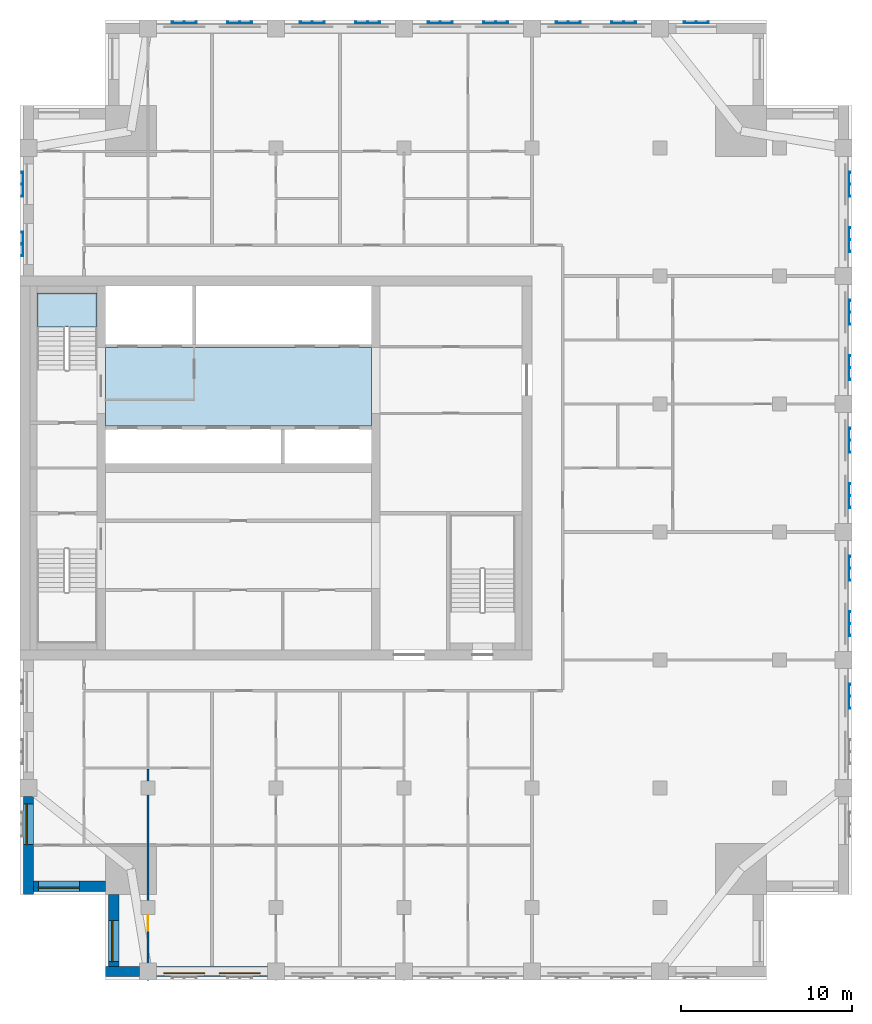
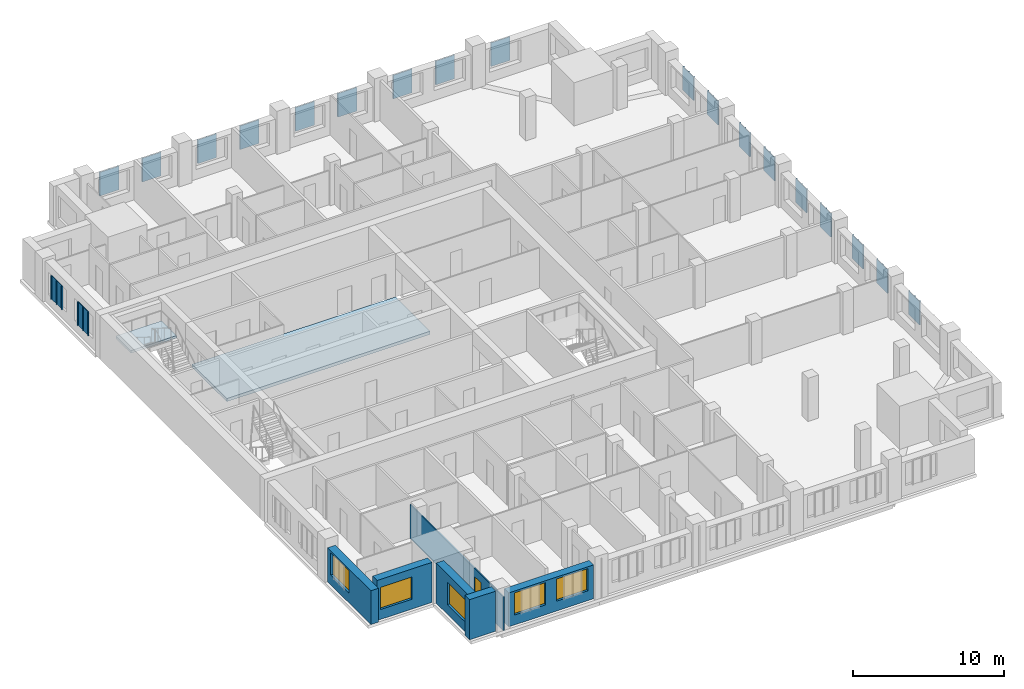
# One storey, part 2 of 10: 20 plates, 6 walls, 5 windows, 2 slabs, 1 door, 6 openings, 1 element without a shape of its own.
"""IFC4 building model written with IfcOpenShell, lengths in metres."""

from ifc_helpers import new_model, si_unit, direction, frame, frame_2d, origin, place, context, subcontext, project, spatial, polyline, rectangle, outline, extrude, material, layer, layer_set, type_object, element, fill, aggregate, save


model = new_model("IFC4")

# Units and contexts
model_context = context("Model", 3, precision=1e-05, world=origin(), true_north=direction((0.0, 1.0)))
body_context = subcontext(model_context, "Body", "Model", "MODEL_VIEW")
ifc_project = project(units=[si_unit("LENGTHUNIT", "METRE"), si_unit("AREAUNIT", "SQUARE_METRE"), si_unit("VOLUMEUNIT", "CUBIC_METRE"), si_unit("PLANEANGLEUNIT", "RADIAN"), si_unit("MASSUNIT", "GRAM", prefix="KILO")], contexts=[model_context])

# Site, building, storey
site_placement = place(None, origin())
site = spatial("IfcSite", under=ifc_project, at=site_placement, CompositionType="ELEMENT")
building_placement = place(site_placement, origin())
building = spatial("IfcBuilding", under=site, at=building_placement, Name="Tamorin Gate", CompositionType="ELEMENT")
storey_placement = place(building_placement, frame((0.0, 0.0, 251.199951171875)))
storey = spatial("IfcBuildingStorey", under=building, at=storey_placement, Name="L63", CompositionType="ELEMENT", Elevation=251.199951171875)

# Slab
ifc_material_1 = material(Name="Concrete C40/50", Category="concrete")
ifc_layer_1 = layer(ifc_material_1, 0.25)
ifc_layer_set_1 = layer_set([ifc_layer_1], Name="Core floor slab 250 C40/50")
slab_type_1 = type_object("IfcSlabType", Name="Core floor slab 250 C40/50", PredefinedType="FLOOR", material=ifc_layer_set_1)
slab_1_placement = place(storey_placement, frame((0.0, 0.0, -0.25)))
element("IfcSlab", 1, at=slab_1_placement, inside=storey, type_object=slab_type_1, Name="Core floor L63", PredefinedType="FLOOR", context=body_context, shape_type="SweptSolid", body=[
    extrude(outline(polyline([(50.60009765625, 73.699951171875), (35.0, 73.699951171875), (35.0, 78.300048828125), (50.60009765625, 78.300048828125), (50.60009765625, 73.699951171875)])), origin(), (0.0, 0.0, 1.0), 0.25),
])

# Stair, slab
stair_type = type_object("IfcStairType", Name="Exit stair", PredefinedType="HALF_TURN_STAIR", material=ifc_material_1)
stair_placement = place(storey_placement, origin())
stair = element("IfcStair", 2, at=stair_placement, inside=storey, type_object=stair_type, Name="L63 stair ST2", PredefinedType="HALF_TURN_STAIR")
ifc_layer_2 = layer(ifc_material_1, 0.199951171875)
ifc_layer_set_2 = layer_set([ifc_layer_2], Name="Exit stair landing 200")
slab_type_2 = type_object("IfcSlabType", Name="Exit stair landing 200", PredefinedType="LANDING", material=ifc_layer_set_2)
slab_2_placement = place(storey_placement, frame((0.0, 0.0, 1.550048828125)))
slab_2 = element("IfcSlab", 3, at=slab_2_placement, type_object=slab_type_2, Name="ST2 landing 1", PredefinedType="LANDING", context=body_context, shape_type="SweptSolid", body=[
    extrude(outline(polyline([(34.5, 79.52001953125), (34.5, 81.5), (31.0, 81.5), (31.0, 79.52001953125), (34.5, 79.52001953125)])), origin(), (0.0, 0.0, 1.0), 0.199951171875),
])
aggregate(stair, [slab_2])

# Plates
ifc_material_2 = material(Name="Perforated pale aluminium sheet", Category="aluminium")
ifc_layer_3 = layer(ifc_material_2, 0.0400390625)
ifc_layer_set_3 = layer_set([ifc_layer_3], Name="Pale metal solar screen 1440")
plate_type = type_object("IfcPlateType", Name="Pale metal solar screen 1440", PredefinedType="SHEET", material=ifc_layer_set_3)
plate_1_placement = place(storey_placement, frame((0.0, 0.0, 0.737548828125)))
element("IfcPlate", 4, at=plate_1_placement, inside=storey, type_object=plate_type, Name="Perforated solar screen", PredefinedType="SHEET", context=body_context, shape_type="SweptSolid", body=[
    extrude(outline(polyline([(78.590087890625, 57.155029296875), (78.550048828125, 57.155029296875), (78.550048828125, 57.215087890625), (78.550048828125, 57.844970703125), (78.550048828125, 57.905029296875), (78.550048828125, 58.534912109375), (78.550048828125, 58.594970703125), (78.590087890625, 58.594970703125), (78.64990234375, 58.594970703125), (78.64990234375, 58.534912109375), (78.590087890625, 58.534912109375), (78.590087890625, 57.905029296875), (78.64990234375, 57.905029296875), (78.64990234375, 57.844970703125), (78.590087890625, 57.844970703125), (78.590087890625, 57.215087890625), (78.64990234375, 57.215087890625), (78.64990234375, 57.155029296875), (78.590087890625, 57.155029296875)])), origin(), (0.0, 0.0, 1.0), 1.925048828125),
])
plate_2_placement = place(storey_placement, frame((0.0, 0.0, 0.737548828125)))
element("IfcPlate", 5, at=plate_2_placement, inside=storey, type_object=plate_type, Name="Perforated solar screen", PredefinedType="SHEET", context=body_context, shape_type="SweptSolid", body=[
    extrude(outline(polyline([(78.590087890625, 61.405029296875), (78.550048828125, 61.405029296875), (78.550048828125, 61.465087890625), (78.550048828125, 62.094970703125), (78.550048828125, 62.155029296875), (78.550048828125, 62.784912109375), (78.550048828125, 62.844970703125), (78.590087890625, 62.844970703125), (78.64990234375, 62.844970703125), (78.64990234375, 62.784912109375), (78.590087890625, 62.784912109375), (78.590087890625, 62.155029296875), (78.64990234375, 62.155029296875), (78.64990234375, 62.094970703125), (78.590087890625, 62.094970703125), (78.590087890625, 61.465087890625), (78.64990234375, 61.465087890625), (78.64990234375, 61.405029296875), (78.590087890625, 61.405029296875)])), origin(), (0.0, 0.0, 1.0), 1.925048828125),
])
plate_3_placement = place(storey_placement, frame((0.0, 0.0, 0.737548828125)))
element("IfcPlate", 6, at=plate_3_placement, inside=storey, type_object=plate_type, Name="Perforated solar screen", PredefinedType="SHEET", context=body_context, shape_type="SweptSolid", body=[
    extrude(outline(polyline([(78.590087890625, 64.655029296875), (78.550048828125, 64.655029296875), (78.550048828125, 64.715087890625), (78.550048828125, 65.344970703125), (78.550048828125, 65.405029296875), (78.550048828125, 66.034912109375), (78.550048828125, 66.094970703125), (78.590087890625, 66.094970703125), (78.64990234375, 66.094970703125), (78.64990234375, 66.034912109375), (78.590087890625, 66.034912109375), (78.590087890625, 65.405029296875), (78.64990234375, 65.405029296875), (78.64990234375, 65.344970703125), (78.590087890625, 65.344970703125), (78.590087890625, 64.715087890625), (78.64990234375, 64.715087890625), (78.64990234375, 64.655029296875), (78.590087890625, 64.655029296875)])), origin(), (0.0, 0.0, 1.0), 1.925048828125),
])
plate_4_placement = place(storey_placement, frame((0.0, 0.0, 0.737548828125)))
element("IfcPlate", 7, at=plate_4_placement, inside=storey, type_object=plate_type, Name="Perforated solar screen", PredefinedType="SHEET", context=body_context, shape_type="SweptSolid", body=[
    extrude(outline(polyline([(78.590087890625, 68.905029296875), (78.550048828125, 68.905029296875), (78.550048828125, 68.965087890625), (78.550048828125, 69.594970703125), (78.550048828125, 69.655029296875), (78.550048828125, 70.284912109375), (78.550048828125, 70.344970703125), (78.590087890625, 70.344970703125), (78.64990234375, 70.344970703125), (78.64990234375, 70.284912109375), (78.590087890625, 70.284912109375), (78.590087890625, 69.655029296875), (78.64990234375, 69.655029296875), (78.64990234375, 69.594970703125), (78.590087890625, 69.594970703125), (78.590087890625, 68.965087890625), (78.64990234375, 68.965087890625), (78.64990234375, 68.905029296875), (78.590087890625, 68.905029296875)])), origin(), (0.0, 0.0, 1.0), 1.925048828125),
])
plate_5_placement = place(storey_placement, frame((0.0, 0.0, 0.737548828125)))
element("IfcPlate", 8, at=plate_5_placement, inside=storey, type_object=plate_type, Name="Perforated solar screen", PredefinedType="SHEET", context=body_context, shape_type="SweptSolid", body=[
    extrude(outline(polyline([(78.590087890625, 72.155029296875), (78.550048828125, 72.155029296875), (78.550048828125, 72.215087890625), (78.550048828125, 72.844970703125), (78.550048828125, 72.905029296875), (78.550048828125, 73.534912109375), (78.550048828125, 73.594970703125), (78.590087890625, 73.594970703125), (78.64990234375, 73.594970703125), (78.64990234375, 73.534912109375), (78.590087890625, 73.534912109375), (78.590087890625, 72.905029296875), (78.64990234375, 72.905029296875), (78.64990234375, 72.844970703125), (78.590087890625, 72.844970703125), (78.590087890625, 72.215087890625), (78.64990234375, 72.215087890625), (78.64990234375, 72.155029296875), (78.590087890625, 72.155029296875)])), origin(), (0.0, 0.0, 1.0), 1.925048828125),
])
plate_6_placement = place(storey_placement, frame((0.0, 0.0, 0.737548828125)))
element("IfcPlate", 9, at=plate_6_placement, inside=storey, type_object=plate_type, Name="Perforated solar screen", PredefinedType="SHEET", context=body_context, shape_type="SweptSolid", body=[
    extrude(outline(polyline([(78.590087890625, 76.405029296875), (78.550048828125, 76.405029296875), (78.550048828125, 76.465087890625), (78.550048828125, 77.094970703125), (78.550048828125, 77.155029296875), (78.550048828125, 77.784912109375), (78.550048828125, 77.844970703125), (78.590087890625, 77.844970703125), (78.64990234375, 77.844970703125), (78.64990234375, 77.784912109375), (78.590087890625, 77.784912109375), (78.590087890625, 77.155029296875), (78.64990234375, 77.155029296875), (78.64990234375, 77.094970703125), (78.590087890625, 77.094970703125), (78.590087890625, 76.465087890625), (78.64990234375, 76.465087890625), (78.64990234375, 76.405029296875), (78.590087890625, 76.405029296875)])), origin(), (0.0, 0.0, 1.0), 1.925048828125),
])
plate_7_placement = place(storey_placement, frame((0.0, 0.0, 0.737548828125)))
element("IfcPlate", 10, at=plate_7_placement, inside=storey, type_object=plate_type, Name="Perforated solar screen", PredefinedType="SHEET", context=body_context, shape_type="SweptSolid", body=[
    extrude(outline(polyline([(78.590087890625, 79.655029296875), (78.550048828125, 79.655029296875), (78.550048828125, 79.715087890625), (78.550048828125, 80.344970703125), (78.550048828125, 80.405029296875), (78.550048828125, 81.034912109375), (78.550048828125, 81.094970703125), (78.590087890625, 81.094970703125), (78.64990234375, 81.094970703125), (78.64990234375, 81.034912109375), (78.590087890625, 81.034912109375), (78.590087890625, 80.405029296875), (78.64990234375, 80.405029296875), (78.64990234375, 80.344970703125), (78.590087890625, 80.344970703125), (78.590087890625, 79.715087890625), (78.64990234375, 79.715087890625), (78.64990234375, 79.655029296875), (78.590087890625, 79.655029296875)])), origin(), (0.0, 0.0, 1.0), 1.925048828125),
])
plate_8_placement = place(storey_placement, frame((0.0, 0.0, 0.737548828125)))
element("IfcPlate", 11, at=plate_8_placement, inside=storey, type_object=plate_type, Name="Perforated solar screen", PredefinedType="SHEET", context=body_context, shape_type="SweptSolid", body=[
    extrude(outline(polyline([(78.590087890625, 83.905029296875), (78.550048828125, 83.905029296875), (78.550048828125, 83.965087890625), (78.550048828125, 84.594970703125), (78.550048828125, 84.655029296875), (78.550048828125, 85.284912109375), (78.550048828125, 85.344970703125), (78.590087890625, 85.344970703125), (78.64990234375, 85.344970703125), (78.64990234375, 85.284912109375), (78.590087890625, 85.284912109375), (78.590087890625, 84.655029296875), (78.64990234375, 84.655029296875), (78.64990234375, 84.594970703125), (78.590087890625, 84.594970703125), (78.590087890625, 83.965087890625), (78.64990234375, 83.965087890625), (78.64990234375, 83.905029296875), (78.590087890625, 83.905029296875)])), origin(), (0.0, 0.0, 1.0), 1.925048828125),
])
plate_9_placement = place(storey_placement, frame((0.0, 0.0, 0.737548828125)))
element("IfcPlate", 12, at=plate_9_placement, inside=storey, type_object=plate_type, Name="Perforated solar screen", PredefinedType="SHEET", context=body_context, shape_type="SweptSolid", body=[
    extrude(outline(polyline([(78.590087890625, 87.155029296875), (78.550048828125, 87.155029296875), (78.550048828125, 87.215087890625), (78.550048828125, 87.844970703125), (78.550048828125, 87.905029296875), (78.550048828125, 88.534912109375), (78.550048828125, 88.594970703125), (78.590087890625, 88.594970703125), (78.64990234375, 88.594970703125), (78.64990234375, 88.534912109375), (78.590087890625, 88.534912109375), (78.590087890625, 87.905029296875), (78.64990234375, 87.905029296875), (78.64990234375, 87.844970703125), (78.590087890625, 87.844970703125), (78.590087890625, 87.215087890625), (78.64990234375, 87.215087890625), (78.64990234375, 87.155029296875), (78.590087890625, 87.155029296875)])), origin(), (0.0, 0.0, 1.0), 1.925048828125),
])
plate_10_placement = place(storey_placement, frame((0.0, 0.0, 0.737548828125)))
element("IfcPlate", 13, at=plate_10_placement, inside=storey, type_object=plate_type, Name="Perforated solar screen", PredefinedType="SHEET", context=body_context, shape_type="SweptSolid", body=[
    extrude(outline(polyline([(70.344970703125, 97.340087890625), (70.344970703125, 97.300048828125), (70.284912109375, 97.300048828125), (69.655029296875, 97.300048828125), (69.594970703125, 97.300048828125), (68.965087890625, 97.300048828125), (68.905029296875, 97.300048828125), (68.905029296875, 97.300048828125), (68.905029296875, 97.340087890625), (68.905029296875, 97.340087890625), (68.905029296875, 97.39990234375), (68.965087890625, 97.39990234375), (68.965087890625, 97.340087890625), (69.594970703125, 97.340087890625), (69.594970703125, 97.39990234375), (69.655029296875, 97.39990234375), (69.655029296875, 97.340087890625), (70.284912109375, 97.340087890625), (70.284912109375, 97.39990234375), (70.344970703125, 97.39990234375), (70.344970703125, 97.340087890625)])), origin(), (0.0, 0.0, 1.0), 1.925048828125),
])
plate_11_placement = place(storey_placement, frame((0.0, 0.0, 0.737548828125)))
element("IfcPlate", 14, at=plate_11_placement, inside=storey, type_object=plate_type, Name="Perforated solar screen", PredefinedType="SHEET", context=body_context, shape_type="SweptSolid", body=[
    extrude(outline(polyline([(62.844970703125, 97.340087890625), (62.844970703125, 97.300048828125), (62.784912109375, 97.300048828125), (62.155029296875, 97.300048828125), (62.094970703125, 97.300048828125), (61.465087890625, 97.300048828125), (61.405029296875, 97.300048828125), (61.405029296875, 97.340087890625), (61.405029296875, 97.39990234375), (61.465087890625, 97.39990234375), (61.465087890625, 97.340087890625), (62.094970703125, 97.340087890625), (62.094970703125, 97.39990234375), (62.155029296875, 97.39990234375), (62.155029296875, 97.340087890625), (62.784912109375, 97.340087890625), (62.784912109375, 97.39990234375), (62.844970703125, 97.39990234375), (62.844970703125, 97.340087890625)])), origin(), (0.0, 0.0, 1.0), 1.925048828125),
])
plate_12_placement = place(storey_placement, frame((0.0, 0.0, 0.737548828125)))
element("IfcPlate", 15, at=plate_12_placement, inside=storey, type_object=plate_type, Name="Perforated solar screen", PredefinedType="SHEET", context=body_context, shape_type="SweptSolid", body=[
    extrude(outline(polyline([(66.094970703125, 97.340087890625), (66.094970703125, 97.300048828125), (66.034912109375, 97.300048828125), (65.405029296875, 97.300048828125), (65.344970703125, 97.300048828125), (64.715087890625, 97.300048828125), (64.655029296875, 97.300048828125), (64.655029296875, 97.340087890625), (64.655029296875, 97.39990234375), (64.715087890625, 97.39990234375), (64.715087890625, 97.340087890625), (65.344970703125, 97.340087890625), (65.344970703125, 97.39990234375), (65.405029296875, 97.39990234375), (65.405029296875, 97.340087890625), (66.034912109375, 97.340087890625), (66.034912109375, 97.39990234375), (66.094970703125, 97.39990234375), (66.094970703125, 97.340087890625)])), origin(), (0.0, 0.0, 1.0), 1.925048828125),
])
plate_13_placement = place(storey_placement, frame((0.0, 0.0, 0.737548828125)))
element("IfcPlate", 16, at=plate_13_placement, inside=storey, type_object=plate_type, Name="Perforated solar screen", PredefinedType="SHEET", context=body_context, shape_type="SweptSolid", body=[
    extrude(outline(polyline([(55.344970703125, 97.340087890625), (55.344970703125, 97.300048828125), (55.284912109375, 97.300048828125), (54.655029296875, 97.300048828125), (54.594970703125, 97.300048828125), (53.965087890625, 97.300048828125), (53.905029296875, 97.300048828125), (53.905029296875, 97.340087890625), (53.905029296875, 97.39990234375), (53.965087890625, 97.39990234375), (53.965087890625, 97.340087890625), (54.594970703125, 97.340087890625), (54.594970703125, 97.39990234375), (54.655029296875, 97.39990234375), (54.655029296875, 97.340087890625), (55.284912109375, 97.340087890625), (55.284912109375, 97.39990234375), (55.344970703125, 97.39990234375), (55.344970703125, 97.340087890625)])), origin(), (0.0, 0.0, 1.0), 1.925048828125),
])
plate_14_placement = place(storey_placement, frame((0.0, 0.0, 0.737548828125)))
element("IfcPlate", 17, at=plate_14_placement, inside=storey, type_object=plate_type, Name="Perforated solar screen", PredefinedType="SHEET", context=body_context, shape_type="SweptSolid", body=[
    extrude(outline(polyline([(58.594970703125, 97.340087890625), (58.594970703125, 97.300048828125), (58.534912109375, 97.300048828125), (57.905029296875, 97.300048828125), (57.844970703125, 97.300048828125), (57.215087890625, 97.300048828125), (57.155029296875, 97.300048828125), (57.155029296875, 97.340087890625), (57.155029296875, 97.39990234375), (57.215087890625, 97.39990234375), (57.215087890625, 97.340087890625), (57.844970703125, 97.340087890625), (57.844970703125, 97.39990234375), (57.905029296875, 97.39990234375), (57.905029296875, 97.340087890625), (58.534912109375, 97.340087890625), (58.534912109375, 97.39990234375), (58.594970703125, 97.39990234375), (58.594970703125, 97.340087890625)])), origin(), (0.0, 0.0, 1.0), 1.925048828125),
])
plate_15_placement = place(storey_placement, frame((0.0, 0.0, 0.737548828125)))
element("IfcPlate", 18, at=plate_15_placement, inside=storey, type_object=plate_type, Name="Perforated solar screen", PredefinedType="SHEET", context=body_context, shape_type="SweptSolid", body=[
    extrude(outline(polyline([(47.844970703125, 97.340087890625), (47.844970703125, 97.300048828125), (47.784912109375, 97.300048828125), (47.155029296875, 97.300048828125), (47.094970703125, 97.300048828125), (46.465087890625, 97.300048828125), (46.405029296875, 97.300048828125), (46.405029296875, 97.340087890625), (46.405029296875, 97.39990234375), (46.465087890625, 97.39990234375), (46.465087890625, 97.340087890625), (47.094970703125, 97.340087890625), (47.094970703125, 97.39990234375), (47.155029296875, 97.39990234375), (47.155029296875, 97.340087890625), (47.784912109375, 97.340087890625), (47.784912109375, 97.39990234375), (47.844970703125, 97.39990234375), (47.844970703125, 97.340087890625)])), origin(), (0.0, 0.0, 1.0), 1.925048828125),
])
plate_16_placement = place(storey_placement, frame((0.0, 0.0, 0.737548828125)))
element("IfcPlate", 19, at=plate_16_placement, inside=storey, type_object=plate_type, Name="Perforated solar screen", PredefinedType="SHEET", context=body_context, shape_type="SweptSolid", body=[
    extrude(outline(polyline([(51.094970703125, 97.340087890625), (51.094970703125, 97.300048828125), (51.034912109375, 97.300048828125), (50.405029296875, 97.300048828125), (50.344970703125, 97.300048828125), (49.715087890625, 97.300048828125), (49.655029296875, 97.300048828125), (49.655029296875, 97.340087890625), (49.655029296875, 97.39990234375), (49.715087890625, 97.39990234375), (49.715087890625, 97.340087890625), (50.344970703125, 97.340087890625), (50.344970703125, 97.39990234375), (50.405029296875, 97.39990234375), (50.405029296875, 97.340087890625), (51.034912109375, 97.340087890625), (51.034912109375, 97.39990234375), (51.094970703125, 97.39990234375), (51.094970703125, 97.340087890625)])), origin(), (0.0, 0.0, 1.0), 1.925048828125),
])
plate_17_placement = place(storey_placement, frame((0.0, 0.0, 0.737548828125)))
element("IfcPlate", 20, at=plate_17_placement, inside=storey, type_object=plate_type, Name="Perforated solar screen", PredefinedType="SHEET", context=body_context, shape_type="SweptSolid", body=[
    extrude(outline(polyline([(40.344970703125, 97.340087890625), (40.344970703125, 97.300048828125), (40.284912109375, 97.300048828125), (39.655029296875, 97.300048828125), (39.594970703125, 97.300048828125), (38.965087890625, 97.300048828125), (38.905029296875, 97.300048828125), (38.905029296875, 97.340087890625), (38.905029296875, 97.39990234375), (38.965087890625, 97.39990234375), (38.965087890625, 97.340087890625), (39.594970703125, 97.340087890625), (39.594970703125, 97.39990234375), (39.655029296875, 97.39990234375), (39.655029296875, 97.340087890625), (40.284912109375, 97.340087890625), (40.284912109375, 97.39990234375), (40.344970703125, 97.39990234375), (40.344970703125, 97.340087890625)])), origin(), (0.0, 0.0, 1.0), 1.925048828125),
])
plate_18_placement = place(storey_placement, frame((0.0, 0.0, 0.737548828125)))
element("IfcPlate", 21, at=plate_18_placement, inside=storey, type_object=plate_type, Name="Perforated solar screen", PredefinedType="SHEET", context=body_context, shape_type="SweptSolid", body=[
    extrude(outline(polyline([(43.594970703125, 97.340087890625), (43.594970703125, 97.300048828125), (43.534912109375, 97.300048828125), (42.905029296875, 97.300048828125), (42.844970703125, 97.300048828125), (42.215087890625, 97.300048828125), (42.155029296875, 97.300048828125), (42.155029296875, 97.340087890625), (42.155029296875, 97.39990234375), (42.215087890625, 97.39990234375), (42.215087890625, 97.340087890625), (42.844970703125, 97.340087890625), (42.844970703125, 97.39990234375), (42.905029296875, 97.39990234375), (42.905029296875, 97.340087890625), (43.534912109375, 97.340087890625), (43.534912109375, 97.39990234375), (43.594970703125, 97.39990234375), (43.594970703125, 97.340087890625)])), origin(), (0.0, 0.0, 1.0), 1.925048828125),
])
plate_19_placement = place(storey_placement, frame((0.0, 0.0, 0.737548828125)))
element("IfcPlate", 22, at=plate_19_placement, inside=storey, type_object=plate_type, Name="Perforated solar screen", PredefinedType="SHEET", context=body_context, shape_type="SweptSolid", body=[
    extrude(outline(polyline([(30.159912109375, 85.094970703125), (30.199951171875, 85.094970703125), (30.199951171875, 85.034912109375), (30.199951171875, 84.405029296875), (30.199951171875, 84.344970703125), (30.199951171875, 83.715087890625), (30.199951171875, 83.655029296875), (30.159912109375, 83.655029296875), (30.10009765625, 83.655029296875), (30.10009765625, 83.715087890625), (30.159912109375, 83.715087890625), (30.159912109375, 84.344970703125), (30.10009765625, 84.344970703125), (30.10009765625, 84.405029296875), (30.159912109375, 84.405029296875), (30.159912109375, 85.034912109375), (30.10009765625, 85.034912109375), (30.10009765625, 85.094970703125), (30.159912109375, 85.094970703125)])), origin(), (0.0, 0.0, 1.0), 1.925048828125),
])
plate_20_placement = place(storey_placement, frame((0.0, 0.0, 0.737548828125)))
element("IfcPlate", 23, at=plate_20_placement, inside=storey, type_object=plate_type, Name="Perforated solar screen", PredefinedType="SHEET", context=body_context, shape_type="SweptSolid", body=[
    extrude(outline(polyline([(30.159912109375, 88.594970703125), (30.199951171875, 88.594970703125), (30.199951171875, 88.534912109375), (30.199951171875, 87.905029296875), (30.199951171875, 87.844970703125), (30.199951171875, 87.215087890625), (30.199951171875, 87.155029296875), (30.199951171875, 87.155029296875), (30.159912109375, 87.155029296875), (30.159912109375, 87.155029296875), (30.10009765625, 87.155029296875), (30.10009765625, 87.215087890625), (30.159912109375, 87.215087890625), (30.159912109375, 87.844970703125), (30.10009765625, 87.844970703125), (30.10009765625, 87.905029296875), (30.159912109375, 87.905029296875), (30.159912109375, 88.534912109375), (30.10009765625, 88.534912109375), (30.10009765625, 88.594970703125), (30.159912109375, 88.594970703125)])), origin(), (0.0, 0.0, 1.0), 1.925048828125),
])

# Wall
ifc_material_3 = material(Name="Precast concrete C40/50", Category="concrete")
ifc_layer_4 = layer(ifc_material_3, 0.60009765625)
ifc_layer_set_4 = layer_set([ifc_layer_4], Name="Precast concrete C40/50")
wall_type_1 = type_object("IfcWallType", Name="Board-marked concrete facade panel 600", PredefinedType="SOLIDWALL", material=ifc_layer_set_4)
wall_1_placement = place(storey_placement, frame((35.0, 41.75, 0.0), z_axis=(0.0, 0.0, 1.0), x_axis=(1.0, 0.0, 0.0)))
element("IfcWall", 24, at=wall_1_placement, inside=storey, type_object=wall_type_1, Name="Facade panel", PredefinedType="SOLIDWALL", context=body_context, shape_type="SweptSolid", body=[
    extrude(rectangle(XDim=2.0, YDim=0.60009765625, at=frame_2d((1.0, 0.0))), origin(), (0.0, 0.0, 1.0), 3.25),
])

# Wall, openings, windows
wall_2_placement = place(storey_placement, frame((38.0, 41.75, 0.0), z_axis=(0.0, 0.0, 1.0), x_axis=(1.0, 0.0, 0.0)))
wall_2 = element("IfcWall", 25, at=wall_2_placement, inside=storey, type_object=wall_type_1, Name="Facade panel", PredefinedType="SOLIDWALL", context=body_context, shape_type="SweptSolid", body=[
    extrude(rectangle(XDim=6.5, YDim=0.60009765625, at=frame_2d((3.25, 0.0))), origin(), (0.0, 0.0, 1.0), 2.75),
])
opening_1_placement = place(wall_2_placement, frame((0.425048828125, 0.0, 0.800048828125)))
opening_1 = element("IfcOpeningElement", 26, at=opening_1_placement, cuts=wall_2, Name="Opening WN1", PredefinedType="OPENING", context=body_context, shape_type="SweptSolid", body=[
    extrude(rectangle(XDim=2.39990234375, YDim=1.800048828125, at=frame_2d((1.199951171875, 0.89990234375))), frame((0.0, 0.31005859375, 0.0), z_axis=(0.0, -1.0, 0.0), x_axis=(1.0, 0.0, 0.0)), (0.0, 0.0, 1.0), 0.6201171875),
])
opening_2_placement = place(wall_2_placement, frame((3.675048828125, 0.0, 0.800048828125)))
opening_2 = element("IfcOpeningElement", 27, at=opening_2_placement, cuts=wall_2, Name="Opening WN1", PredefinedType="OPENING", context=body_context, shape_type="SweptSolid", body=[
    extrude(rectangle(XDim=2.39990234375, YDim=1.800048828125, at=frame_2d((1.199951171875, 0.89990234375))), frame((0.0, 0.31005859375, 0.0), z_axis=(0.0, -1.0, 0.0), x_axis=(1.0, 0.0, 0.0)), (0.0, 0.0, 1.0), 0.6201171875),
])
ifc_material_4 = material(Name="Clear glass in aluminium frame", Category="aluminium")
window_type = type_object("IfcWindowType", Name="Deep-set window 2400x1800", PartitioningType="SINGLE_PANEL", PredefinedType="WINDOW", material=ifc_material_4)
window_1_placement = place(opening_1_placement, origin())
window_1 = element("IfcWindow", 28, at=window_1_placement, inside=storey, type_object=window_type, Name="Deep-set window", OverallHeight=1.800048828125, OverallWidth=2.39990234375, PartitioningType="SINGLE_PANEL", PredefinedType="WINDOW", context=body_context, shape_type="SweptSolid", body=[
    extrude(rectangle(XDim=2.39990234375, YDim=1.800048828125, at=frame_2d((1.199951171875, 0.89990234375))), frame((0.0, -0.070068359375, 0.0), z_axis=(0.0, -1.0, 0.0), x_axis=(1.0, 0.0, 0.0)), (0.0, 0.0, 1.0), 0.06005859375),
])
fill(opening_1, window_1)
window_2_placement = place(opening_2_placement, origin())
window_2 = element("IfcWindow", 29, at=window_2_placement, inside=storey, type_object=window_type, Name="Deep-set window", OverallHeight=1.800048828125, OverallWidth=2.39990234375, PartitioningType="SINGLE_PANEL", PredefinedType="WINDOW", context=body_context, shape_type="SweptSolid", body=[
    extrude(rectangle(XDim=2.39990234375, YDim=1.800048828125, at=frame_2d((1.199951171875, 0.89990234375))), frame((0.0, -0.070068359375, 0.0), z_axis=(0.0, -1.0, 0.0), x_axis=(1.0, 0.0, 0.0)), (0.0, 0.0, 1.0), 0.06005859375),
])
fill(opening_2, window_2)

# Wall, opening, window
wall_3_placement = place(storey_placement, frame((30.5, 52.0, 0.0), z_axis=(0.0, 0.0, 1.0), x_axis=(0.0, -1.0, 0.0)))
wall_3 = element("IfcWall", 30, at=wall_3_placement, inside=storey, type_object=wall_type_1, Name="Facade panel", PredefinedType="SOLIDWALL", context=body_context, shape_type="SweptSolid", body=[
    extrude(rectangle(XDim=5.75, YDim=0.60009765625, at=frame_2d((2.875, 0.0))), origin(), (0.0, 0.0, 1.0), 2.75),
])
opening_3_placement = place(wall_3_placement, frame((0.425048828125, 0.0, 0.800048828125)))
opening_3 = element("IfcOpeningElement", 31, at=opening_3_placement, cuts=wall_3, Name="Opening WN1", PredefinedType="OPENING", context=body_context, shape_type="SweptSolid", body=[
    extrude(rectangle(XDim=2.39990234375, YDim=1.800048828125, at=frame_2d((1.199951171875, 0.89990234375))), frame((0.0, 0.31005859375, 0.0), z_axis=(0.0, -1.0, 0.0), x_axis=(1.0, 0.0, 0.0)), (0.0, 0.0, 1.0), 0.6201171875),
])
window_3_placement = place(opening_3_placement, origin())
window_3 = element("IfcWindow", 32, at=window_3_placement, inside=storey, type_object=window_type, Name="Deep-set window", OverallHeight=1.800048828125, OverallWidth=2.39990234375, PartitioningType="SINGLE_PANEL", PredefinedType="WINDOW", context=body_context, shape_type="SweptSolid", body=[
    extrude(rectangle(XDim=2.39990234375, YDim=1.800048828125, at=frame_2d((1.199951171875, 0.89990234375))), frame((0.0, -0.070068359375, 0.0), z_axis=(0.0, -1.0, 0.0), x_axis=(1.0, 0.0, 0.0)), (0.0, 0.0, 1.0), 0.06005859375),
])
fill(opening_3, window_3)

wall_4_placement = place(storey_placement, frame((30.800048828125, 46.75, 0.0), z_axis=(0.0, 0.0, 1.0), x_axis=(1.0, 0.0, 0.0)))
wall_4 = element("IfcWall", 33, at=wall_4_placement, inside=storey, type_object=wall_type_1, Name="Facade panel", PredefinedType="SOLIDWALL", context=body_context, shape_type="SweptSolid", body=[
    extrude(rectangle(XDim=4.199951171875, YDim=0.60009765625, at=frame_2d((2.10009765625, 0.0))), origin(), (0.0, 0.0, 1.0), 3.25),
])
opening_4_placement = place(wall_4_placement, frame((0.27490234375, 0.0, 0.800048828125)))
opening_4 = element("IfcOpeningElement", 34, at=opening_4_placement, cuts=wall_4, Name="Opening WN1", PredefinedType="OPENING", context=body_context, shape_type="SweptSolid", body=[
    extrude(rectangle(XDim=2.39990234375, YDim=1.800048828125, at=frame_2d((1.199951171875, 0.89990234375))), frame((0.0, 0.31005859375, 0.0), z_axis=(0.0, -1.0, 0.0), x_axis=(1.0, 0.0, 0.0)), (0.0, 0.0, 1.0), 0.6201171875),
])
window_4_placement = place(opening_4_placement, origin())
window_4 = element("IfcWindow", 35, at=window_4_placement, inside=storey, type_object=window_type, Name="Deep-set window", OverallHeight=1.800048828125, OverallWidth=2.39990234375, PartitioningType="SINGLE_PANEL", PredefinedType="WINDOW", context=body_context, shape_type="SweptSolid", body=[
    extrude(rectangle(XDim=2.39990234375, YDim=1.800048828125, at=frame_2d((1.199951171875, 0.89990234375))), frame((0.0, -0.070068359375, 0.0), z_axis=(0.0, -1.0, 0.0), x_axis=(1.0, 0.0, 0.0)), (0.0, 0.0, 1.0), 0.06005859375),
])
fill(opening_4, window_4)

wall_5_placement = place(storey_placement, frame((35.5, 46.25, 0.0), z_axis=(0.0, 0.0, 1.0), x_axis=(0.0, -1.0, 0.0)))
wall_5 = element("IfcWall", 36, at=wall_5_placement, inside=storey, type_object=wall_type_1, Name="Facade panel", PredefinedType="SOLIDWALL", context=body_context, shape_type="SweptSolid", body=[
    extrude(rectangle(XDim=4.199951171875, YDim=0.60009765625, at=frame_2d((2.10009765625, 0.0))), origin(), (0.0, 0.0, 1.0), 3.25),
])
opening_5_placement = place(wall_5_placement, frame((1.52490234375, 0.0, 0.800048828125)))
opening_5 = element("IfcOpeningElement", 37, at=opening_5_placement, cuts=wall_5, Name="Opening WN1", PredefinedType="OPENING", context=body_context, shape_type="SweptSolid", body=[
    extrude(rectangle(XDim=2.39990234375, YDim=1.800048828125, at=frame_2d((1.199951171875, 0.89990234375))), frame((0.0, 0.31005859375, 0.0), z_axis=(0.0, -1.0, 0.0), x_axis=(1.0, 0.0, 0.0)), (0.0, 0.0, 1.0), 0.6201171875),
])
window_5_placement = place(opening_5_placement, origin())
window_5 = element("IfcWindow", 38, at=window_5_placement, inside=storey, type_object=window_type, Name="Deep-set window", OverallHeight=1.800048828125, OverallWidth=2.39990234375, PartitioningType="SINGLE_PANEL", PredefinedType="WINDOW", context=body_context, shape_type="SweptSolid", body=[
    extrude(rectangle(XDim=2.39990234375, YDim=1.800048828125, at=frame_2d((1.199951171875, 0.89990234375))), frame((0.0, -0.070068359375, 0.0), z_axis=(0.0, -1.0, 0.0), x_axis=(1.0, 0.0, 0.0)), (0.0, 0.0, 1.0), 0.06005859375),
])
fill(opening_5, window_5)

# Wall, opening, door
ifc_material_5 = material(Name="Gypsum board partition")
ifc_layer_5 = layer(ifc_material_5, 0.10009765625)
ifc_layer_set_5 = layer_set([ifc_layer_5], Name="Room partition 100")
wall_type_2 = type_object("IfcWallType", Name="Room partition 100", PredefinedType="PARTITIONING", material=ifc_layer_set_5)
wall_6_placement = place(storey_placement, frame((37.5, 41.25, 0.0), z_axis=(0.0, 0.0, 1.0), x_axis=(0.0, 1.0, 0.0)))
wall_6 = element("IfcWall", 39, at=wall_6_placement, inside=storey, type_object=wall_type_2, Name="Room partition 100", PredefinedType="PARTITIONING", context=body_context, shape_type="SweptSolid", body=[
    extrude(rectangle(XDim=12.362548828125, YDim=0.10009765625, at=frame_2d((6.18115234375, 0.0))), origin(), (0.0, 0.0, 1.0), 2.75),
])
opening_6_placement = place(wall_6_placement, frame((2.89990234375, 0.0, 0.0)))
opening_6 = element("IfcOpeningElement", 40, at=opening_6_placement, cuts=wall_6, Name="Opening DR5007", PredefinedType="OPENING", context=body_context, shape_type="SweptSolid", body=[
    extrude(rectangle(XDim=0.89990234375, YDim=2.10009765625, at=frame_2d((0.449951171875, 1.050048828125))), frame((0.0, 0.06005859375, 0.0), z_axis=(0.0, -1.0, 0.0), x_axis=(1.0, 0.0, 0.0)), (0.0, 0.0, 1.0), 0.1201171875),
])
ifc_material_6 = material(Name="Timber door leaf", Category="wood")
door_type = type_object("IfcDoorType", Name="Door 900 x 2100", OperationType="NOTDEFINED", PredefinedType="DOOR", material=ifc_material_6)
door_placement = place(opening_6_placement, origin())
door = element("IfcDoor", 41, at=door_placement, inside=storey, type_object=door_type, Name="Door DR5007", OperationType="SINGLE_SWING_LEFT", OverallHeight=2.10009765625, OverallWidth=0.89990234375, PredefinedType="DOOR", context=body_context, shape_type="SweptSolid", body=[
    extrude(rectangle(XDim=0.89990234375, YDim=2.10009765625, at=frame_2d((0.449951171875, 1.050048828125))), frame((0.0, 0.02490234375, 0.0), z_axis=(0.0, -1.0, 0.0), x_axis=(1.0, 0.0, 0.0)), (0.0, 0.0, 1.0), 0.050048828125),
])
fill(opening_6, door)

save(model, "model.ifc")
